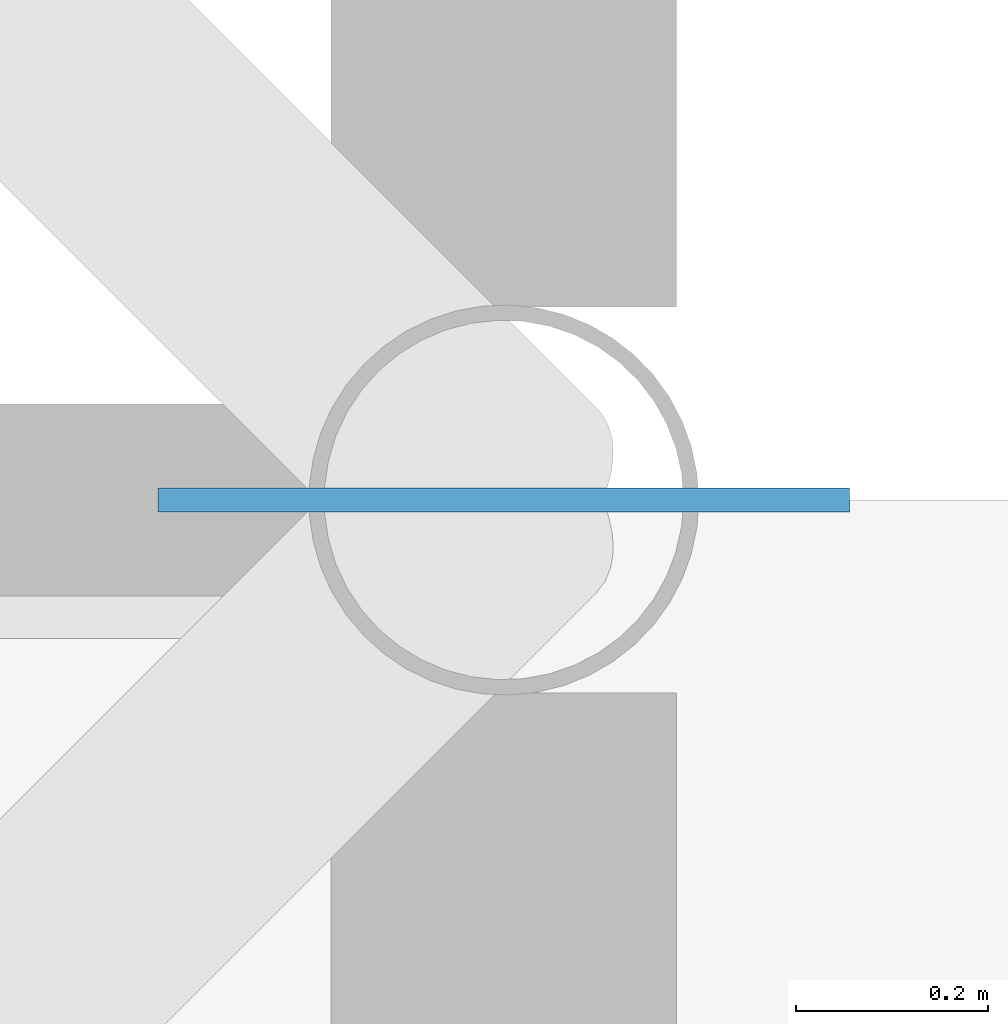
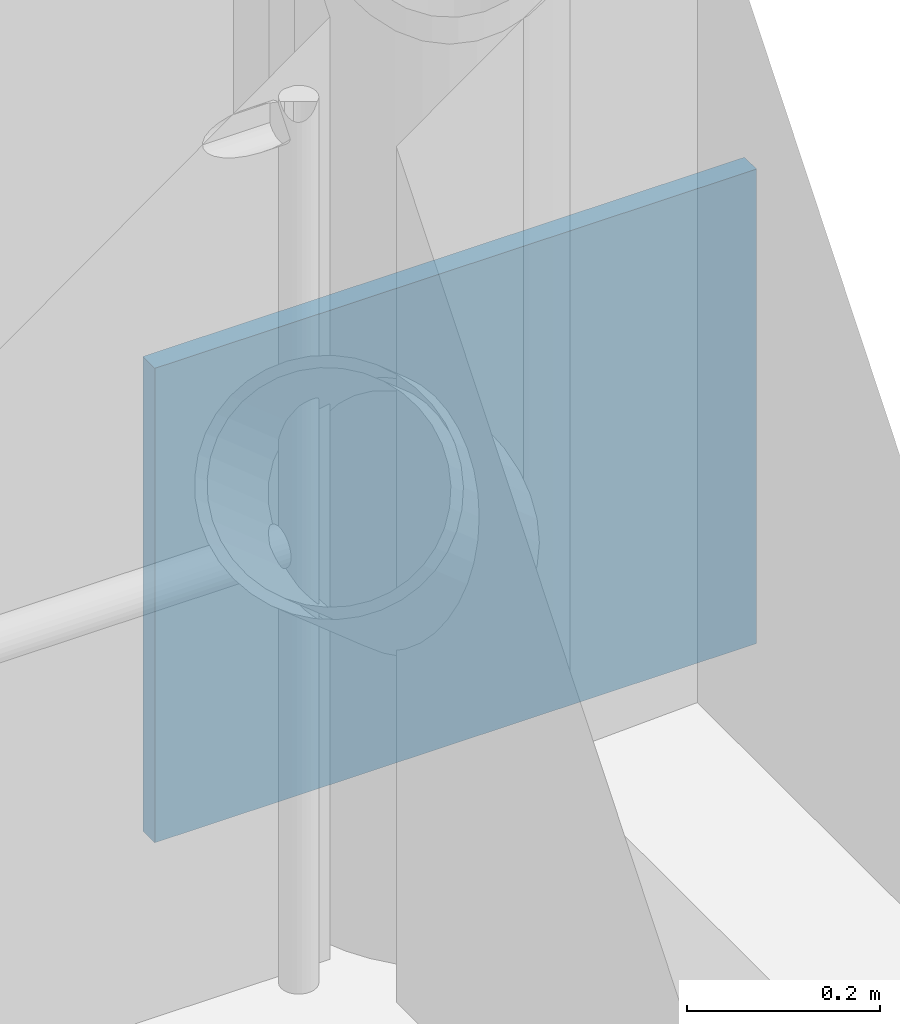
# One storey, part 59 of 89: 1 plate.
"""IFC4 building model written with IfcOpenShell, lengths in metres."""

from ifc_helpers import new_model, si_unit, direction, frame, origin, origin_2d, place, context, subcontext, project, spatial, rectangle, extrude, material, layer, layer_set, type_object, element, save


model = new_model("IFC4")

# Units and contexts
model_context = context("Model", 3, precision=1e-05, world=origin(), true_north=direction((0.0, 1.0)))
body_context = subcontext(model_context, "Body", "Model", "MODEL_VIEW")
ifc_project = project(units=[si_unit("LENGTHUNIT", "METRE"), si_unit("AREAUNIT", "SQUARE_METRE"), si_unit("VOLUMEUNIT", "CUBIC_METRE"), si_unit("PLANEANGLEUNIT", "RADIAN"), si_unit("MASSUNIT", "GRAM", prefix="KILO")], contexts=[model_context])

# Site, building, storey
site_placement = place(None, origin())
site = spatial("IfcSite", under=ifc_project, at=site_placement, CompositionType="ELEMENT")
building_placement = place(site_placement, origin())
building = spatial("IfcBuilding", under=site, at=building_placement, Name="Vaudrelin Polytechnic", CompositionType="ELEMENT")
storey_placement = place(building_placement, frame((0.0, 0.0, 9.68994140625)))
storey = spatial("IfcBuildingStorey", under=building, at=storey_placement, Name="L02", CompositionType="ELEMENT", Elevation=9.68994140625)

# Plate
ifc_material = material(Name="Steel CSA G40.21 350WT", Category="steel")
ifc_layer = layer(ifc_material, 0.02490234375)
ifc_layer_set = layer_set([ifc_layer], Name="Steel CSA G40.21 350WT")
plate_type = type_object("IfcPlateType", Name="PLT-GP-05", PredefinedType="USERDEFINED", material=ifc_layer_set)
plate_placement = place(storey_placement, frame((32.39990234375, 48.60009765625, 0.14990234375), z_axis=(0.0, 0.0, 1.0), x_axis=(1.0, 0.0, 0.0)))
element("IfcPlate", 1, at=plate_placement, inside=storey, type_object=plate_type, Name="Space frame tree capital gusset plate GP-04", ObjectType="GUSSET PLATE", PredefinedType="USERDEFINED", context=body_context, shape_type="SweptSolid", body=[
    extrude(rectangle(XDim=0.719970703125, YDim=0.02490234375, at=origin_2d()), origin(), (0.0, 0.0, 1.0), 0.60009765625),
])

save(model, "model.ifc")
